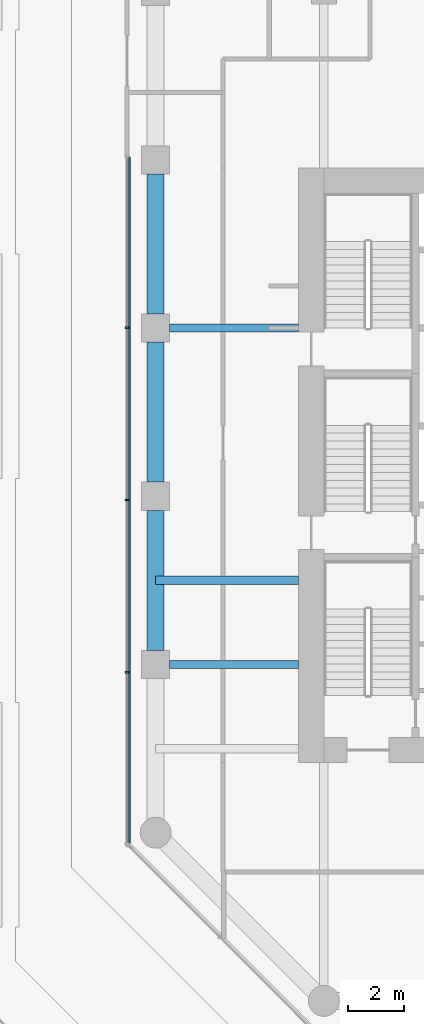
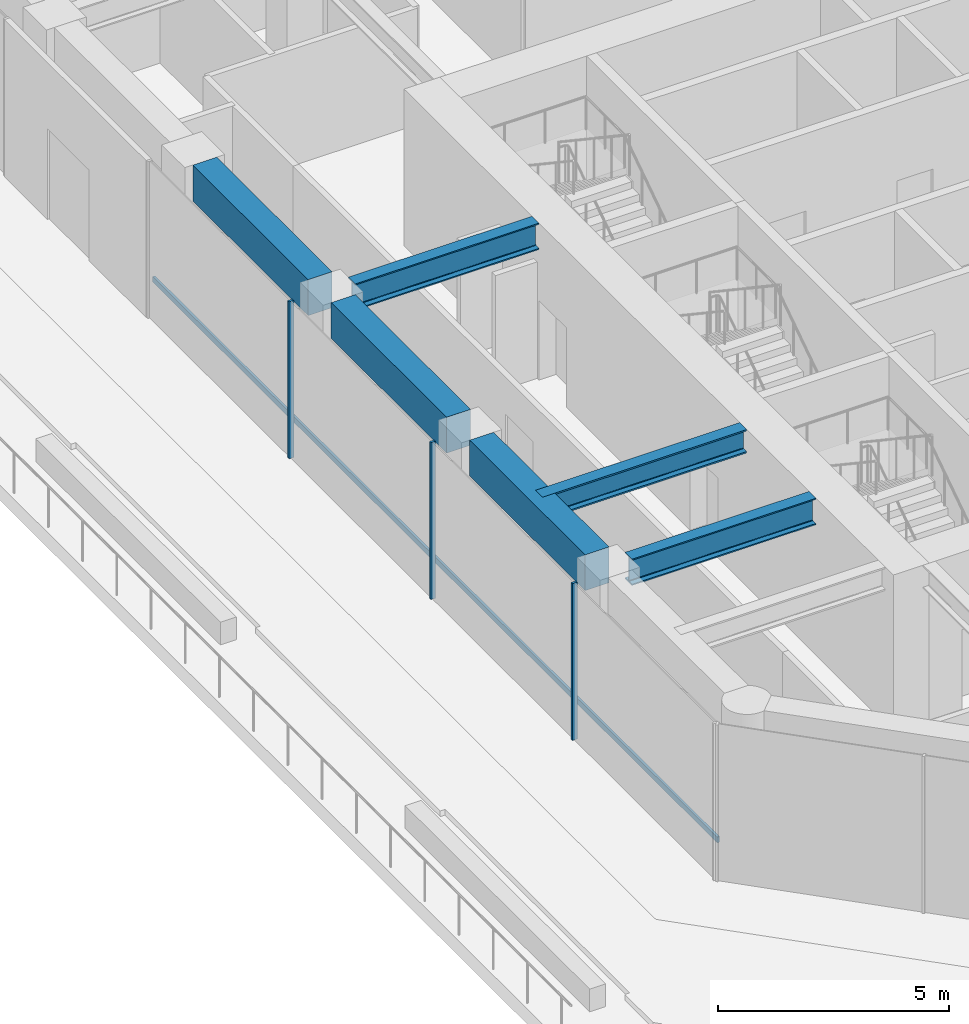
# One storey, part 4 of 31: 6 beams, 4 members, 1 element without a shape of its own.
"""IFC4 building model written with IfcOpenShell, lengths in metres."""

from ifc_helpers import new_model, si_unit, direction, frame, origin, origin_2d, place, context, subcontext, project, spatial, rectangle, i_section, extrude, material, layer, layer_set, material_profile, profile_set, type_object, element, aggregate, save


model = new_model("IFC4")

# Units and contexts
model_context = context("Model", 3, precision=1e-05, world=origin(), true_north=direction((0.0, 1.0)))
body_context = subcontext(model_context, "Body", "Model", "MODEL_VIEW")
ifc_project = project(units=[si_unit("LENGTHUNIT", "METRE"), si_unit("AREAUNIT", "SQUARE_METRE"), si_unit("VOLUMEUNIT", "CUBIC_METRE"), si_unit("PLANEANGLEUNIT", "RADIAN"), si_unit("MASSUNIT", "GRAM", prefix="KILO")], contexts=[model_context])

# Site, building, storey
site_placement = place(None, origin())
site = spatial("IfcSite", under=ifc_project, at=site_placement, CompositionType="ELEMENT")
building_placement = place(site_placement, origin())
building = spatial("IfcBuilding", under=site, at=building_placement, Name="Welwitschia Terrace Campus", CompositionType="ELEMENT")
storey_placement = place(building_placement, frame((0.0, 0.0, 11.0)))
storey = spatial("IfcBuildingStorey", under=building, at=storey_placement, Name="L02", CompositionType="ELEMENT", Elevation=11.0)

# Beam
ifc_material_1 = material(Name="Steel S355", Category="steel")
ifc_material_profile_1 = material_profile(ifc_material_1, i_section(OverallWidth=0.304931640625, OverallDepth=0.6201171875, WebThickness=0.02099609375, FlangeThickness=0.0400390625, FilletRadius=0.027099609375, at=origin_2d()))
ifc_profile_set_1 = profile_set([ifc_material_profile_1], Name="Steel S355")
beam_type_1 = type_object("IfcBeamType", Name="Interior girder HE 600 M", PredefinedType="BEAM", material=ifc_profile_set_1)
beam_placement = place(storey_placement, frame((-0.010009765625, 11.0, 3.840087890625), z_axis=(1.0, 0.0, 0.0), x_axis=(0.0, 1.0, 0.0)))
element("IfcBeam", 1, at=beam_placement, inside=storey, type_object=beam_type_1, Name="Girder GB1", PredefinedType="BEAM", context=body_context, shape_type="SweptSolid", body=[
    extrude(i_section(OverallWidth=0.304931640625, OverallDepth=0.6201171875, WebThickness=0.02099609375, FlangeThickness=0.0400390625, FilletRadius=0.027099609375, at=origin_2d()), origin(), (0.0, 0.0, 1.0), 5.109130859375),
])

# Curtain wall, members
ifc_material_2 = material(Name="Bronze anodised aluminium", Category="aluminium")
ifc_layer = layer(ifc_material_2, 0.1201171875)
ifc_layer_set = layer_set([ifc_layer], Name="Bronze anodised aluminium")
curtain_wall_type = type_object("IfcCurtainWallType", Name="Curtain wall CW2 tower 6000", PredefinedType="NOTDEFINED", material=ifc_layer_set)
curtain_wall_placement = place(storey_placement, origin())
curtain_wall = element("IfcCurtainWall", 2, at=curtain_wall_placement, inside=storey, type_object=curtain_wall_type, Name="CW L02.9.6", PredefinedType="NOTDEFINED")
ifc_material_3 = material(Name="Bronze anodised aluminium", Category="aluminium")
ifc_material_profile_2 = material_profile(ifc_material_3, rectangle(XDim=0.1201171875, YDim=0.06005859375, at=origin_2d()))
ifc_profile_set_2 = profile_set([ifc_material_profile_2], Name="Bronze anodised aluminium")
member_type_1 = type_object("IfcMemberType", Name="Mullion 60x120", PredefinedType="MULLION", material=ifc_profile_set_2)
member_1_placement = place(storey_placement, frame((-1.02001953125, 20.01025390625, 0.0), z_axis=(0.0, 0.0, 1.0), x_axis=(1.0, 0.0, 0.0)))
member_1 = element("IfcMember", 3, at=member_1_placement, type_object=member_type_1, Name="Mullion L02.9.6.1", PredefinedType="MULLION", context=body_context, shape_type="SweptSolid", body=[
    extrude(rectangle(XDim=0.1201171875, YDim=0.06005859375, at=origin_2d()), origin(), (0.0, 0.0, 1.0), 4.14990234375),
])
member_2_placement = place(storey_placement, frame((-1.02001953125, 13.865966796875, 0.0), z_axis=(0.0, 0.0, 1.0), x_axis=(1.0, 0.0, 0.0)))
member_2 = element("IfcMember", 4, at=member_2_placement, type_object=member_type_1, Name="Mullion L02.9.6.2", PredefinedType="MULLION", context=body_context, shape_type="SweptSolid", body=[
    extrude(rectangle(XDim=0.1201171875, YDim=0.06005859375, at=origin_2d()), origin(), (0.0, 0.0, 1.0), 4.14990234375),
])
member_3_placement = place(storey_placement, frame((-1.02001953125, 7.7216796875, 0.0), z_axis=(0.0, 0.0, 1.0), x_axis=(1.0, 0.0, 0.0)))
member_3 = element("IfcMember", 5, at=member_3_placement, type_object=member_type_1, Name="Mullion L02.9.6.3", PredefinedType="MULLION", context=body_context, shape_type="SweptSolid", body=[
    extrude(rectangle(XDim=0.1201171875, YDim=0.06005859375, at=origin_2d()), origin(), (0.0, 0.0, 1.0), 4.14990234375),
])

# Beams
ifc_material_4 = material(Name="Steel S355", Category="steel")
ifc_material_profile_3 = material_profile(ifc_material_4, i_section(OverallWidth=0.300048828125, OverallDepth=0.699951171875, WebThickness=0.01708984375, FlangeThickness=0.031982421875, FilletRadius=0.027099609375, at=origin_2d()))
ifc_profile_set_3 = profile_set([ifc_material_profile_3], Name="Steel S355")
beam_type_2 = type_object("IfcBeamType", Name="Primary beam HE 700 B", PredefinedType="BEAM", material=ifc_profile_set_3)
for number, where, z_axis, x_axis, name in (
    (6, (0.50048828125, 20.0, 3.800048828125), (1.0, 0.0, 0.0), (0.0, 1.0, 0.0), "Primary beam PB1"),
    (7, (0.50048828125, 8.0, 3.800048828125), (1.0, 0.0, 0.0), (0.0, 1.0, 0.0), "Primary beam PB1"),
):
    element("IfcBeam", number, at=place(storey_placement, frame(where, z_axis=z_axis, x_axis=x_axis)), inside=storey, type_object=beam_type_2, Name=name, PredefinedType="BEAM", context=body_context, shape_type="SweptSolid", body=[
        extrude(i_section(OverallWidth=0.300048828125, OverallDepth=0.699951171875, WebThickness=0.01708984375, FlangeThickness=0.031982421875, FilletRadius=0.027099609375, at=origin_2d()), origin(), (0.0, 0.0, 1.0), 4.599609375),
    ])
ifc_material_5 = material(Name="Concrete C60/75", Category="concrete")
ifc_material_profile_4 = material_profile(ifc_material_5, rectangle(XDim=0.60009765625, YDim=0.949951171875, at=origin_2d()))
ifc_profile_set_4 = profile_set([ifc_material_profile_4], Name="Concrete C60/75")
beam_type_3 = type_object("IfcBeamType", Name="Ring spandrel 600x950", PredefinedType="SPANDREL", material=ifc_profile_set_4)
for number, where, z_axis, x_axis, name in (
    (8, (0.0, 25.49951171875, 3.675048828125), (0.0, -1.0, 0.0), (1.0, 0.0, 0.0), "Spandrel SP1"),
    (9, (0.0, 19.49951171875, 3.675048828125), (0.0, -1.0, 0.0), (1.0, 0.0, 0.0), "Spandrel SP1"),
    (10, (0.0, 13.49951171875, 3.675048828125), (0.0, -1.0, 0.0), (1.0, 0.0, 0.0), "Spandrel SP1"),
):
    element("IfcBeam", number, at=place(storey_placement, frame(where, z_axis=z_axis, x_axis=x_axis)), inside=storey, type_object=beam_type_3, Name=name, PredefinedType="SPANDREL", context=body_context, shape_type="SweptSolid", body=[
        extrude(rectangle(XDim=0.60009765625, YDim=0.949951171875, at=origin_2d()), origin(), (0.0, 0.0, 1.0), 4.9990234375),
    ])

# Member
ifc_material_6 = material(Name="Bronze anodised aluminium", Category="aluminium")
ifc_material_profile_5 = material_profile(ifc_material_6, rectangle(XDim=0.06005859375, YDim=0.14990234375, at=origin_2d()))
ifc_profile_set_5 = profile_set([ifc_material_profile_5], Name="Bronze anodised aluminium")
member_type_2 = type_object("IfcMemberType", Name="Transom 60x150", PredefinedType="USERDEFINED", material=ifc_profile_set_5)
member_4_placement = place(storey_placement, frame((-0.929931640625, 26.094482421875, 1.0), z_axis=(0.0, -1.0, 0.0), x_axis=(1.0, 0.0, 0.0)))
member_4 = element("IfcMember", 11, at=member_4_placement, type_object=member_type_2, Name="Transom L02.9.6", ObjectType="TRANSOM", PredefinedType="USERDEFINED", context=body_context, shape_type="SweptSolid", body=[
    extrude(rectangle(XDim=0.06005859375, YDim=0.14990234375, at=origin_2d()), origin(), (0.0, 0.0, 1.0), 24.45703125),
])

aggregate(curtain_wall, [member_1, member_2, member_3, member_4])

save(model, "model.ifc")
